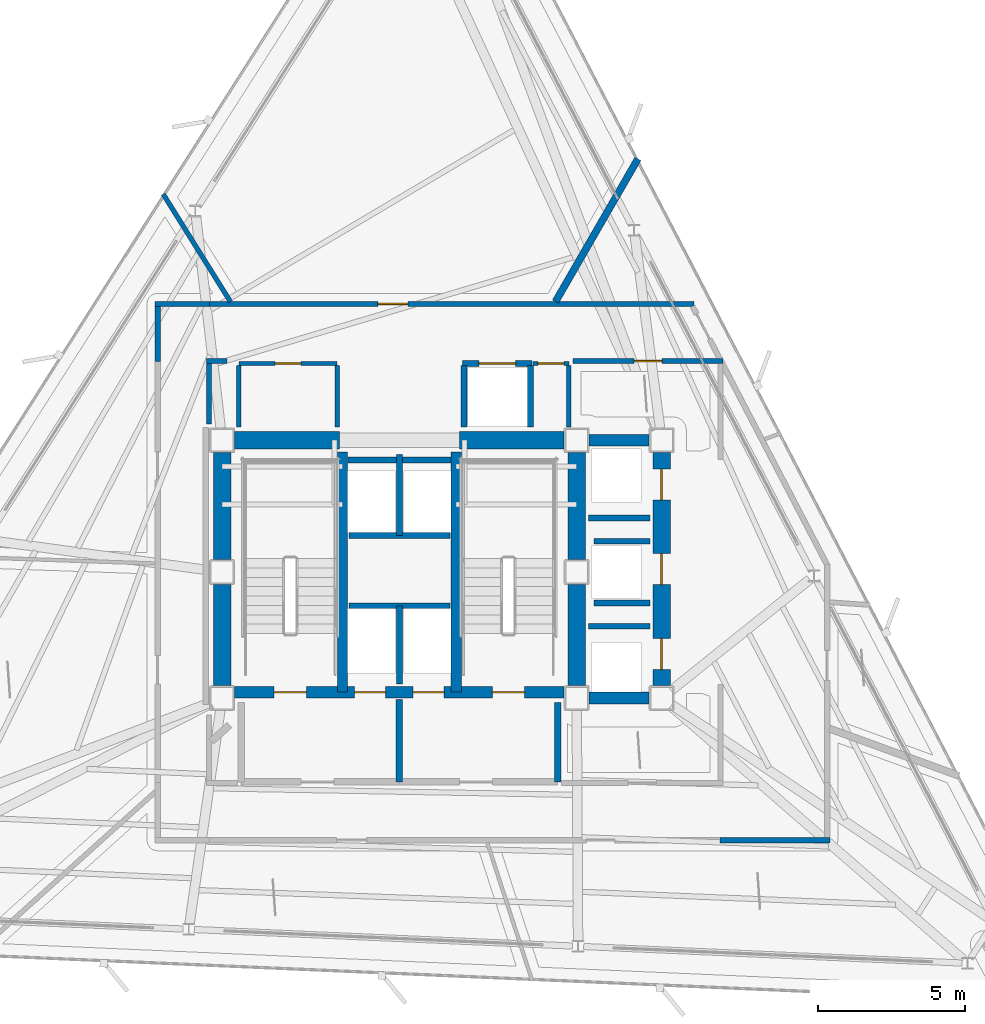
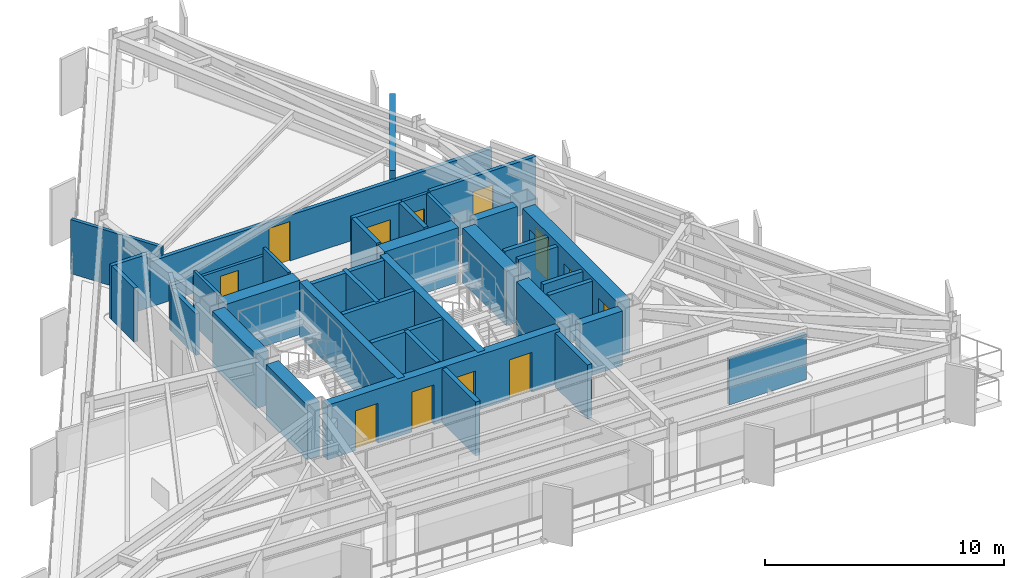
# One storey, part 8 of 12: 40 walls, 12 doors, 12 openings.
"""IFC4 building model written with IfcOpenShell, lengths in metres."""

from ifc_helpers import new_model, si_unit, direction, frame, frame_2d, origin, place, context, subcontext, project, spatial, rectangle, extrude, material, layer, layer_set, type_object, element, fill, save


model = new_model("IFC4")

# Units and contexts
model_context = context("Model", 3, precision=1e-05, world=origin(), true_north=direction((0.0, 1.0)))
body_context = subcontext(model_context, "Body", "Model", "MODEL_VIEW")
ifc_project = project(units=[si_unit("LENGTHUNIT", "METRE"), si_unit("AREAUNIT", "SQUARE_METRE"), si_unit("VOLUMEUNIT", "CUBIC_METRE"), si_unit("PLANEANGLEUNIT", "RADIAN"), si_unit("MASSUNIT", "GRAM", prefix="KILO")], contexts=[model_context])

# Site, building, storey
site_placement = place(None, origin())
site = spatial("IfcSite", under=ifc_project, at=site_placement, CompositionType="ELEMENT")
building_placement = place(site_placement, origin())
building = spatial("IfcBuilding", under=site, at=building_placement, Name="Rocaltana Carrier Exchange", CompositionType="ELEMENT")
storey_placement = place(building_placement, frame((0.0, 0.0, 138.080078125)))
storey = spatial("IfcBuildingStorey", under=building, at=storey_placement, Name="L43", CompositionType="ELEMENT", Elevation=138.080078125)

# Walls
ifc_material_1 = material(Name="Double Acoustic Gypsum Partition", Category="gypsum")
ifc_layer_1 = layer(ifc_material_1, 0.159912109375)
ifc_layer_set_1 = layer_set([ifc_layer_1], Name="Double Acoustic Gypsum Partition")
wall_type_1 = type_object("IfcWallType", Name="Acoustic Studio Partition 160 EI60", PredefinedType="PARTITIONING", material=ifc_layer_set_1)
wall_1_placement = place(storey_placement, frame((-5.767578125, 9.22998046875, 0.0), z_axis=(0.0, 0.0, 1.0), x_axis=(-0.529887412725, 0.848067998356, 0.0)))
element("IfcWall", 1, at=wall_1_placement, inside=storey, type_object=wall_type_1, Name="L43 Suite Divider Wall D8", PredefinedType="PARTITIONING", context=body_context, shape_type="SweptSolid", body=[
    extrude(rectangle(XDim=4.3291015625, YDim=0.159912109375, at=frame_2d((2.16455078125, 0.0))), origin(), (0.0, 0.0, 1.0), 2.762939453125),
])
ifc_material_2 = material(Name="Concrete C50/60", Category="concrete")
ifc_layer_2 = layer(ifc_material_2, 0.35009765625)
ifc_layer_set_2 = layer_set([ifc_layer_2], Name="Concrete C50/60")
wall_type_2 = type_object("IfcWallType", Name="Core Internal Shear Wall 350", PredefinedType="SHEAR", material=ifc_layer_set_2)
for number, where, z_axis, x_axis, name in (
    (2, (-1.93994140625, -4.10009765625, 0.0), (0.0, 0.0, 1.0), (0.0, 1.0, 0.0), "L43 Core Shear Wall CW-STW"),
    (3, (1.93994140625, -4.10009765625, 0.0), (0.0, 0.0, 1.0), (0.0, 1.0, 0.0), "L43 Core Shear Wall CW-STE"),
):
    element("IfcWall", number, at=place(storey_placement, frame(where, z_axis=z_axis, x_axis=x_axis)), inside=storey, type_object=wall_type_2, Name=name, PredefinedType="SHEAR", context=body_context, shape_type="SweptSolid", body=[
        extrude(rectangle(XDim=8.2001953125, YDim=0.35009765625, at=frame_2d((4.10009765625, 0.0))), origin(), (0.0, 0.0, 1.0), 2.787841796875),
    ])

# Wall, openings, doors
ifc_material_3 = material(Name="Concrete C50/60", Category="concrete")
ifc_layer_3 = layer(ifc_material_3, 0.39990234375)
ifc_layer_set_3 = layer_set([ifc_layer_3], Name="Concrete C50/60")
wall_type_3 = type_object("IfcWallType", Name="Core Internal Shear Wall 400", PredefinedType="SHEAR", material=ifc_layer_set_3)
wall_2_placement = place(storey_placement, frame((-5.625, -4.10009765625, 0.0), z_axis=(0.0, 0.0, 1.0), x_axis=(1.0, 0.0, 0.0)))
wall_2 = element("IfcWall", 4, at=wall_2_placement, inside=storey, type_object=wall_type_3, Name="L43 Core Shear Wall CW-S", PredefinedType="SHEAR", context=body_context, shape_type="SweptSolid", body=[
    extrude(rectangle(XDim=11.25, YDim=0.39990234375, at=frame_2d((5.625, 0.0))), origin(), (0.0, 0.0, 1.0), 2.787841796875),
])
opening_1_placement = place(wall_2_placement, frame((1.35498046875, 0.0, 0.0)))
opening_1 = element("IfcOpeningElement", 5, at=opening_1_placement, cuts=wall_2, Name="Opening D-ST110", PredefinedType="OPENING", context=body_context, shape_type="SweptSolid", body=[
    extrude(rectangle(XDim=1.10009765625, YDim=2.0400390625, at=frame_2d((0.550048828125, 1.02001953125))), frame((0.0, 0.2099609375, 0.0), z_axis=(0.0, -1.0, 0.0), x_axis=(1.0, 0.0, 0.0)), (0.0, 0.0, 1.0), 0.419921875),
])
opening_2_placement = place(wall_2_placement, frame((8.794921875, 0.0, 0.0)))
opening_2 = element("IfcOpeningElement", 6, at=opening_2_placement, cuts=wall_2, Name="Opening D-ST110", PredefinedType="OPENING", context=body_context, shape_type="SweptSolid", body=[
    extrude(rectangle(XDim=1.10009765625, YDim=2.0400390625, at=frame_2d((0.550048828125, 1.02001953125))), frame((0.0, 0.2099609375, 0.0), z_axis=(0.0, -1.0, 0.0), x_axis=(1.0, 0.0, 0.0)), (0.0, 0.0, 1.0), 0.419921875),
])
opening_3_placement = place(wall_2_placement, frame((4.094970703125, 0.0, 0.0)))
opening_3 = element("IfcOpeningElement", 7, at=opening_3_placement, cuts=wall_2, Name="Opening LD-110", PredefinedType="OPENING", context=body_context, shape_type="SweptSolid", body=[
    extrude(rectangle(XDim=1.06005859375, YDim=2.0400390625, at=frame_2d((0.530029296875, 1.02001953125))), frame((0.0, 0.2099609375, 0.0), z_axis=(0.0, -1.0, 0.0), x_axis=(1.0, 0.0, 0.0)), (0.0, 0.0, 1.0), 0.419921875),
])
opening_4_placement = place(wall_2_placement, frame((6.094970703125, 0.0, 0.0)))
opening_4 = element("IfcOpeningElement", 8, at=opening_4_placement, cuts=wall_2, Name="Opening LD-110", PredefinedType="OPENING", context=body_context, shape_type="SweptSolid", body=[
    extrude(rectangle(XDim=1.06005859375, YDim=2.0400390625, at=frame_2d((0.530029296875, 1.02001953125))), frame((0.0, 0.2099609375, 0.0), z_axis=(0.0, -1.0, 0.0), x_axis=(1.0, 0.0, 0.0)), (0.0, 0.0, 1.0), 0.419921875),
])
ifc_material_4 = material(Name="Hollow Metal Fire Door Assembly", Category="steel")
door_type_1 = type_object("IfcDoorType", Name="Exit Stair Fire Door 1100x2040 FD90S", OperationType="NOTDEFINED", PredefinedType="DOOR", material=ifc_material_4)
door_1_placement = place(opening_1_placement, origin())
door_1 = element("IfcDoor", 9, at=door_1_placement, inside=storey, type_object=door_type_1, Name="L43 Exit Stair ST1 Fire Door", OperationType="SINGLE_SWING_LEFT", OverallHeight=2.0400390625, OverallWidth=1.10009765625, PredefinedType="DOOR", context=body_context, shape_type="SweptSolid", body=[
    extrude(rectangle(XDim=1.10009765625, YDim=2.0400390625, at=frame_2d((0.550048828125, 1.02001953125))), frame((0.0, 0.02490234375, 0.0), z_axis=(0.0, -1.0, 0.0), x_axis=(1.0, 0.0, 0.0)), (0.0, 0.0, 1.0), 0.050048828125),
])
fill(opening_1, door_1)
door_2_placement = place(opening_2_placement, origin())
door_2 = element("IfcDoor", 10, at=door_2_placement, inside=storey, type_object=door_type_1, Name="L43 Exit Stair ST2 Fire Door", OperationType="SINGLE_SWING_RIGHT", OverallHeight=2.0400390625, OverallWidth=1.10009765625, PredefinedType="DOOR", context=body_context, shape_type="SweptSolid", body=[
    extrude(rectangle(XDim=1.10009765625, YDim=2.0400390625, at=frame_2d((0.550048828125, 1.02001953125))), frame((0.0, 0.02490234375, 0.0), z_axis=(0.0, -1.0, 0.0), x_axis=(1.0, 0.0, 0.0)), (0.0, 0.0, 1.0), 0.050048828125),
])
fill(opening_2, door_2)
ifc_material_5 = material(Name="Brushed Stainless Sliding Door Leaf", Category="steel")
door_type_2 = type_object("IfcDoorType", Name="Lift Landing Sliding Door 1060x2040", OperationType="NOTDEFINED", PredefinedType="DOOR", material=ifc_material_5)
door_3_placement = place(opening_3_placement, origin())
door_3 = element("IfcDoor", 11, at=door_3_placement, inside=storey, type_object=door_type_2, Name="L43 Firefighting Lift FFL1 Landing Door", OperationType="SLIDING_TO_LEFT", OverallHeight=2.0400390625, OverallWidth=1.06005859375, PredefinedType="DOOR", context=body_context, shape_type="SweptSolid", body=[
    extrude(rectangle(XDim=1.06005859375, YDim=2.0400390625, at=frame_2d((0.530029296875, 1.02001953125))), frame((0.0, 0.02490234375, 0.0), z_axis=(0.0, -1.0, 0.0), x_axis=(1.0, 0.0, 0.0)), (0.0, 0.0, 1.0), 0.050048828125),
])
fill(opening_3, door_3)
door_4_placement = place(opening_4_placement, origin())
door_4 = element("IfcDoor", 12, at=door_4_placement, inside=storey, type_object=door_type_2, Name="L43 Firefighting Lift FFL2 Landing Door", OperationType="SLIDING_TO_RIGHT", OverallHeight=2.0400390625, OverallWidth=1.06005859375, PredefinedType="DOOR", context=body_context, shape_type="SweptSolid", body=[
    extrude(rectangle(XDim=1.06005859375, YDim=2.0400390625, at=frame_2d((0.530029296875, 1.02001953125))), frame((0.0, 0.02490234375, 0.0), z_axis=(0.0, -1.0, 0.0), x_axis=(1.0, 0.0, 0.0)), (0.0, 0.0, 1.0), 0.050048828125),
])
fill(opening_4, door_4)

# Walls
for number, where, z_axis, x_axis, name in (
    (13, (6.47509765625, 4.5, 0.0), (0.0, 0.0, 1.0), (1.0, 0.0, 0.0), "L43 Core Shear Wall CW-EWN"),
    (14, (6.47509765625, -4.300048828125, 0.0), (0.0, 0.0, 1.0), (1.0, 0.0, 0.0), "L43 Core Shear Wall CW-EWS"),
):
    element("IfcWall", number, at=place(storey_placement, frame(where, z_axis=z_axis, x_axis=x_axis)), inside=storey, type_object=wall_type_3, Name=name, PredefinedType="SHEAR", context=body_context, shape_type="SweptSolid", body=[
        extrude(rectangle(XDim=2.0498046875, YDim=0.39990234375, at=frame_2d((1.02490234375, 0.0))), origin(), (0.0, 0.0, 1.0), 2.787841796875),
    ])
ifc_material_6 = material(Name="Concrete C50/60", Category="concrete")
ifc_layer_4 = layer(ifc_material_6, 0.60009765625)
ifc_layer_set_4 = layer_set([ifc_layer_4], Name="Concrete C50/60")
wall_type_4 = type_object("IfcWallType", Name="Core Shear Wall 600", PredefinedType="SHEAR", material=ifc_layer_set_4)
wall_3_placement = place(storey_placement, frame((-6.050048828125, 0.425048828125, 0.0), z_axis=(0.0, 0.0, 1.0), x_axis=(0.0, 1.0, 0.0)))
element("IfcWall", 15, at=wall_3_placement, inside=storey, type_object=wall_type_4, Name="L43 Core Shear Wall CW-WN", PredefinedType="SHEAR", context=body_context, shape_type="SweptSolid", body=[
    extrude(rectangle(XDim=3.64990234375, YDim=0.60009765625, at=frame_2d((1.824951171875, 0.0))), origin(), (0.0, 0.0, 1.0), 2.787841796875),
])
wall_4_placement = place(storey_placement, frame((-6.050048828125, -3.875, 0.0), z_axis=(0.0, 0.0, 1.0), x_axis=(0.0, 1.0, 0.0)))
element("IfcWall", 16, at=wall_4_placement, inside=storey, type_object=wall_type_4, Name="L43 Core Shear Wall CW-WS", PredefinedType="SHEAR", context=body_context, shape_type="SweptSolid", body=[
    extrude(rectangle(XDim=3.449951171875, YDim=0.60009765625, at=frame_2d((1.72509765625, 0.0))), origin(), (0.0, 0.0, 1.0), 2.787841796875),
])
wall_5_placement = place(storey_placement, frame((6.050048828125, 0.425048828125, 0.0), z_axis=(0.0, 0.0, 1.0), x_axis=(0.0, 1.0, 0.0)))
element("IfcWall", 17, at=wall_5_placement, inside=storey, type_object=wall_type_4, Name="L43 Core Shear Wall CW-EN", PredefinedType="SHEAR", context=body_context, shape_type="SweptSolid", body=[
    extrude(rectangle(XDim=3.64990234375, YDim=0.60009765625, at=frame_2d((1.824951171875, 0.0))), origin(), (0.0, 0.0, 1.0), 2.787841796875),
])
wall_6_placement = place(storey_placement, frame((6.050048828125, -3.875, 0.0), z_axis=(0.0, 0.0, 1.0), x_axis=(0.0, 1.0, 0.0)))
element("IfcWall", 18, at=wall_6_placement, inside=storey, type_object=wall_type_4, Name="L43 Core Shear Wall CW-ES", PredefinedType="SHEAR", context=body_context, shape_type="SweptSolid", body=[
    extrude(rectangle(XDim=3.449951171875, YDim=0.60009765625, at=frame_2d((1.72509765625, 0.0))), origin(), (0.0, 0.0, 1.0), 2.787841796875),
])
for number, where, z_axis, x_axis, name in (
    (19, (-5.625, 4.5, 0.0), (0.0, 0.0, 1.0), (1.0, 0.0, 0.0), "L43 Core Shear Wall CW-N1"),
    (20, (2.050048828125, 4.5, 0.0), (0.0, 0.0, 1.0), (1.0, 0.0, 0.0), "L43 Core Shear Wall CW-N2"),
):
    element("IfcWall", number, at=place(storey_placement, frame(where, z_axis=z_axis, x_axis=x_axis)), inside=storey, type_object=wall_type_4, Name=name, PredefinedType="SHEAR", context=body_context, shape_type="SweptSolid", body=[
        extrude(rectangle(XDim=3.574951171875, YDim=0.60009765625, at=frame_2d((1.78759765625, 0.0))), origin(), (0.0, 0.0, 1.0), 2.787841796875),
    ])

# Wall, openings, doors
wall_7_placement = place(storey_placement, frame((8.949951171875, -3.875, 0.0), z_axis=(0.0, 0.0, 1.0), x_axis=(0.0, 1.0, 0.0)))
wall_7 = element("IfcWall", 21, at=wall_7_placement, inside=storey, type_object=wall_type_4, Name="L43 Core Shear Wall CW-EW", PredefinedType="SHEAR", context=body_context, shape_type="SweptSolid", body=[
    extrude(rectangle(XDim=7.949951171875, YDim=0.60009765625, at=frame_2d((3.97509765625, 0.0))), origin(), (0.0, 0.0, 1.0), 2.787841796875),
])
opening_5_placement = place(wall_7_placement, frame((0.550048828125, 0.0, 0.0)))
opening_5 = element("IfcOpeningElement", 22, at=opening_5_placement, cuts=wall_7, Name="Opening LD-110", PredefinedType="OPENING", context=body_context, shape_type="SweptSolid", body=[
    extrude(rectangle(XDim=1.06005859375, YDim=2.0400390625, at=frame_2d((0.530029296875, 1.02001953125))), frame((0.0, 0.31005859375, 0.0), z_axis=(0.0, -1.0, 0.0), x_axis=(1.0, 0.0, 0.0)), (0.0, 0.0, 1.0), 0.6201171875),
])
opening_6_placement = place(wall_7_placement, frame((3.445068359375, 0.0, 0.0)))
opening_6 = element("IfcOpeningElement", 23, at=opening_6_placement, cuts=wall_7, Name="Opening LD-110", PredefinedType="OPENING", context=body_context, shape_type="SweptSolid", body=[
    extrude(rectangle(XDim=1.06005859375, YDim=2.0400390625, at=frame_2d((0.530029296875, 1.02001953125))), frame((0.0, 0.31005859375, 0.0), z_axis=(0.0, -1.0, 0.0), x_axis=(1.0, 0.0, 0.0)), (0.0, 0.0, 1.0), 0.6201171875),
])
opening_7_placement = place(wall_7_placement, frame((6.330078125, 0.0, 0.0)))
opening_7 = element("IfcOpeningElement", 24, at=opening_7_placement, cuts=wall_7, Name="Opening LD-110", PredefinedType="OPENING", context=body_context, shape_type="SweptSolid", body=[
    extrude(rectangle(XDim=1.06005859375, YDim=2.0400390625, at=frame_2d((0.530029296875, 1.02001953125))), frame((0.0, 0.31005859375, 0.0), z_axis=(0.0, -1.0, 0.0), x_axis=(1.0, 0.0, 0.0)), (0.0, 0.0, 1.0), 0.6201171875),
])
door_5_placement = place(opening_5_placement, origin())
door_5 = element("IfcDoor", 25, at=door_5_placement, inside=storey, type_object=door_type_2, Name="L43 Mid-Rise Lift PL-M1 Landing Door", OperationType="SLIDING_TO_LEFT", OverallHeight=2.0400390625, OverallWidth=1.06005859375, PredefinedType="DOOR", context=body_context, shape_type="SweptSolid", body=[
    extrude(rectangle(XDim=1.06005859375, YDim=2.0400390625, at=frame_2d((0.530029296875, 1.02001953125))), frame((0.0, 0.02490234375, 0.0), z_axis=(0.0, -1.0, 0.0), x_axis=(1.0, 0.0, 0.0)), (0.0, 0.0, 1.0), 0.050048828125),
])
fill(opening_5, door_5)
door_6_placement = place(opening_6_placement, origin())
door_6 = element("IfcDoor", 26, at=door_6_placement, inside=storey, type_object=door_type_2, Name="L43 Mid-Rise Lift PL-M2 Landing Door", OperationType="SLIDING_TO_RIGHT", OverallHeight=2.0400390625, OverallWidth=1.06005859375, PredefinedType="DOOR", context=body_context, shape_type="SweptSolid", body=[
    extrude(rectangle(XDim=1.06005859375, YDim=2.0400390625, at=frame_2d((0.530029296875, 1.02001953125))), frame((0.0, 0.02490234375, 0.0), z_axis=(0.0, -1.0, 0.0), x_axis=(1.0, 0.0, 0.0)), (0.0, 0.0, 1.0), 0.050048828125),
])
fill(opening_6, door_6)
door_7_placement = place(opening_7_placement, origin())
door_7 = element("IfcDoor", 27, at=door_7_placement, inside=storey, type_object=door_type_2, Name="L43 Mid-Rise Lift PL-M3 Landing Door", OperationType="SLIDING_TO_LEFT", OverallHeight=2.0400390625, OverallWidth=1.06005859375, PredefinedType="DOOR", context=body_context, shape_type="SweptSolid", body=[
    extrude(rectangle(XDim=1.06005859375, YDim=2.0400390625, at=frame_2d((0.530029296875, 1.02001953125))), frame((0.0, 0.02490234375, 0.0), z_axis=(0.0, -1.0, 0.0), x_axis=(1.0, 0.0, 0.0)), (0.0, 0.0, 1.0), 0.050048828125),
])
fill(opening_7, door_7)

# Walls
ifc_material_7 = material(Name="Gypsum & Steel Stud Partition", Category="steel")
ifc_layer_5 = layer(ifc_material_7, 0.179931640625)
ifc_layer_set_5 = layer_set([ifc_layer_5], Name="Gypsum & Steel Stud Partition")
wall_type_5 = type_object("IfcWallType", Name="Corridor Fire Partition 180 EI60", PredefinedType="PARTITIONING", material=ifc_layer_set_5)
wall_8_placement = place(storey_placement, frame((-8.25, 7.179931640625, 0.0), z_axis=(0.0, 0.0, 1.0), x_axis=(0.0, 1.0, 0.0)))
element("IfcWall", 28, at=wall_8_placement, inside=storey, type_object=wall_type_5, Name="L43 Corridor Partition 4", PredefinedType="PARTITIONING", context=body_context, shape_type="SweptSolid", body=[
    extrude(rectangle(XDim=1.880126953125, YDim=0.179931640625, at=frame_2d((0.93994140625, 0.0))), origin(), (0.0, 0.0, 1.0), 2.762939453125),
])
wall_9_placement = place(storey_placement, frame((-8.340087890625, 9.14990234375, 0.0), z_axis=(0.0, 0.0, 1.0), x_axis=(1.0, 0.0, 0.0)))
element("IfcWall", 29, at=wall_9_placement, inside=storey, type_object=wall_type_5, Name="L43 Corridor Partition 5", PredefinedType="PARTITIONING", context=body_context, shape_type="SweptSolid", body=[
    extrude(rectangle(XDim=1.860107421875, YDim=0.179931640625, at=frame_2d((0.93017578125, 0.0))), origin(), (0.0, 0.0, 1.0), 2.762939453125),
])

# Wall, opening, door
wall_10_placement = place(storey_placement, frame((-6.52001953125, 9.14990234375, 0.0), z_axis=(0.0, 0.0, 1.0), x_axis=(1.0, 0.0, 0.0)))
wall_10 = element("IfcWall", 30, at=wall_10_placement, inside=storey, type_object=wall_type_5, Name="L43 Corridor Partition 6", PredefinedType="PARTITIONING", context=body_context, shape_type="SweptSolid", body=[
    extrude(rectangle(XDim=16.571533203125, YDim=0.179931640625, at=frame_2d((8.28564453125, 0.0))), origin(), (0.0, 0.0, 1.0), 2.329833984375),
])
opening_8_placement = place(wall_10_placement, frame((5.789306640625, 0.0, 0.0)))
opening_8 = element("IfcOpeningElement", 31, at=opening_8_placement, cuts=wall_10, Name="Opening D-LB104", PredefinedType="OPENING", context=body_context, shape_type="SweptSolid", body=[
    extrude(rectangle(XDim=1.02001953125, YDim=2.02001953125, at=frame_2d((0.510009765625, 1.010009765625))), frame((0.0, 0.099853515625, 0.0), z_axis=(0.0, -1.0, 0.0), x_axis=(1.0, 0.0, 0.0)), (0.0, 0.0, 1.0), 0.199951171875),
])
ifc_material_8 = material(Name="Powder-Coated Aluminium 6063-T6", Category="aluminium")
door_type_3 = type_object("IfcDoorType", Name="Laboratory Acoustic Door 1020x2020", OperationType="NOTDEFINED", PredefinedType="DOOR", material=ifc_material_8)
door_8_placement = place(opening_8_placement, origin())
door_8 = element("IfcDoor", 32, at=door_8_placement, inside=storey, type_object=door_type_3, Name="L43 Photonic Integration Workshop Entrance Door", OperationType="SINGLE_SWING_RIGHT", OverallHeight=2.02001953125, OverallWidth=1.02001953125, PredefinedType="DOOR", context=body_context, shape_type="SweptSolid", body=[
    extrude(rectangle(XDim=1.02001953125, YDim=2.02001953125, at=frame_2d((0.510009765625, 1.010009765625))), frame((0.0, 0.02490234375, 0.0), z_axis=(0.0, -1.0, 0.0), x_axis=(1.0, 0.0, 0.0)), (0.0, 0.0, 1.0), 0.050048828125),
])
fill(opening_8, door_8)

# Wall
wall_11_placement = place(storey_placement, frame((14.68994140625, -9.14990234375, 0.0), z_axis=(0.0, 0.0, 1.0), x_axis=(-1.0, 0.0, 0.0)))
element("IfcWall", 33, at=wall_11_placement, inside=storey, type_object=wall_type_5, Name="L43 Corridor Partition 10", PredefinedType="PARTITIONING", context=body_context, shape_type="SweptSolid", body=[
    extrude(rectangle(XDim=3.75, YDim=0.179931640625, at=frame_2d((1.875, 0.0))), origin(), (0.0, 0.0, 1.0), 2.329833984375),
])

# Wall, opening, door
wall_12_placement = place(storey_placement, frame((11.050048828125, 7.199951171875, 0.0), z_axis=(0.0, 0.0, 1.0), x_axis=(-1.0, 0.0, 0.0)))
wall_12 = element("IfcWall", 34, at=wall_12_placement, inside=storey, type_object=wall_type_5, Name="L43 Corridor Partition 15", PredefinedType="PARTITIONING", context=body_context, shape_type="SweptSolid", body=[
    extrude(rectangle(XDim=5.1201171875, YDim=0.179931640625, at=frame_2d((2.56005859375, 0.0))), origin(), (0.0, 0.0, 1.0), 2.762939453125),
])
opening_9_placement = place(wall_12_placement, frame((2.080078125, 0.0, 0.0)))
opening_9 = element("IfcOpeningElement", 35, at=opening_9_placement, cuts=wall_12, Name="Opening D-RM098", PredefinedType="OPENING", context=body_context, shape_type="SweptSolid", body=[
    extrude(rectangle(XDim=0.9599609375, YDim=2.02001953125, at=frame_2d((0.47998046875, 1.010009765625))), frame((0.0, 0.099853515625, 0.0), z_axis=(0.0, -1.0, 0.0), x_axis=(1.0, 0.0, 0.0)), (0.0, 0.0, 1.0), 0.199951171875),
])
ifc_material_9 = material(Name="Engineered Hardwood Timber", Category="wood")
door_type_4 = type_object("IfcDoorType", Name="Workspace Single Door 960x2020", OperationType="NOTDEFINED", PredefinedType="DOOR", material=ifc_material_9)
door_9_placement = place(opening_9_placement, origin())
door_9 = element("IfcDoor", 36, at=door_9_placement, inside=storey, type_object=door_type_4, Name="L43 Network Engineering Studio Entrance Door", OperationType="SINGLE_SWING_RIGHT", OverallHeight=2.02001953125, OverallWidth=0.9599609375, PredefinedType="DOOR", context=body_context, shape_type="SweptSolid", body=[
    extrude(rectangle(XDim=0.9599609375, YDim=2.02001953125, at=frame_2d((0.47998046875, 1.010009765625))), frame((0.0, 0.02490234375, 0.0), z_axis=(0.0, -1.0, 0.0), x_axis=(1.0, 0.0, 0.0)), (0.0, 0.0, 1.0), 0.050048828125),
])
fill(opening_9, door_9)

# Walls
wall_13_placement = place(storey_placement, frame((-5.8798828125, 7.199951171875, 0.0), z_axis=(0.0, 0.0, 1.0), x_axis=(-1.0, 0.0, 0.0)))
element("IfcWall", 37, at=wall_13_placement, inside=storey, type_object=wall_type_5, Name="L43 Corridor Partition 16", PredefinedType="PARTITIONING", context=body_context, shape_type="SweptSolid", body=[
    extrude(rectangle(XDim=0.710205078125, YDim=0.179931640625, at=frame_2d((0.35498046875, 0.0))), origin(), (0.0, 0.0, 1.0), 2.329833984375),
])
wall_14_placement = place(storey_placement, frame((-6.5, 7.110107421875, 0.0), z_axis=(0.0, 0.0, 1.0), x_axis=(0.0, -1.0, 0.0)))
element("IfcWall", 38, at=wall_14_placement, inside=storey, type_object=wall_type_5, Name="L43 Corridor Partition 17", PredefinedType="PARTITIONING", context=body_context, shape_type="SweptSolid", body=[
    extrude(rectangle(XDim=2.058349609375, YDim=0.179931640625, at=frame_2d((1.029296875, 0.0))), origin(), (0.0, 0.0, 1.0), 2.1318359375),
])
ifc_material_10 = material(Name="Autoclaved Aerated Concrete C30/37", Category="concrete")
ifc_layer_6 = layer(ifc_material_10, 0.219970703125)
ifc_layer_set_6 = layer_set([ifc_layer_6], Name="Autoclaved Aerated Concrete C30/37")
wall_type_6 = type_object("IfcWallType", Name="Firefighting Lobby Wall 220 EI120", PredefinedType="PARTITIONING", material=ifc_layer_set_6)
wall_15_placement = place(storey_placement, frame((5.39990234375, -7.159912109375, 0.0), z_axis=(0.0, 0.0, 1.0), x_axis=(0.0, 1.0, 0.0)))
element("IfcWall", 39, at=wall_15_placement, inside=storey, type_object=wall_type_6, Name="L43 FFL Lobby 2 East Wall", PredefinedType="PARTITIONING", context=body_context, shape_type="SweptSolid", body=[
    extrude(rectangle(XDim=2.7099609375, YDim=0.219970703125, at=frame_2d((1.35498046875, 0.0))), origin(), (0.0, 0.0, 1.0), 2.762939453125),
])
wall_16_placement = place(storey_placement, frame((0.0, -7.159912109375, 0.0), z_axis=(0.0, 0.0, 1.0), x_axis=(0.0, 1.0, 0.0)))
element("IfcWall", 40, at=wall_16_placement, inside=storey, type_object=wall_type_6, Name="L43 FFL Lobby Centre Wall", PredefinedType="PARTITIONING", context=body_context, shape_type="SweptSolid", body=[
    extrude(rectangle(XDim=2.809814453125, YDim=0.219970703125, at=frame_2d((1.40478515625, 0.0))), origin(), (0.0, 0.0, 1.0), 2.762939453125),
])
ifc_material_11 = material(Name="Acoustic Calcium Silicate Partition", Category="gypsum")
ifc_layer_7 = layer(ifc_material_11, 0.239990234375)
ifc_layer_set_7 = layer_set([ifc_layer_7], Name="Acoustic Calcium Silicate Partition")
wall_type_7 = type_object("IfcWallType", Name="Heavy Lab Partition 240 EI90", PredefinedType="PARTITIONING", material=ifc_layer_set_7)
wall_17_placement = place(storey_placement, frame((5.328857421875, 9.22998046875, 0.0), z_axis=(0.0, 0.0, 1.0), x_axis=(0.500024387096, 0.86601132343, 0.0)))
element("IfcWall", 41, at=wall_17_placement, inside=storey, type_object=wall_type_7, Name="L43 Suite Divider Wall D7", PredefinedType="PARTITIONING", context=body_context, shape_type="SweptSolid", body=[
    extrude(rectangle(XDim=5.622802734375, YDim=0.239990234375, at=frame_2d((2.8115234375, 0.0))), origin(), (0.0, 0.0, 1.0), 2.762939453125),
])
ifc_material_12 = material(Name="Reinforced Concrete Block C35/45", Category="concrete")
ifc_layer_8 = layer(ifc_material_12, 0.199951171875)
ifc_layer_set_8 = layer_set([ifc_layer_8], Name="Reinforced Concrete Block C35/45")
wall_type_8 = type_object("IfcWallType", Name="Lift Hoistway Enclosure Wall 200 EI120", PredefinedType="PARTITIONING", material=ifc_layer_set_8)
wall_18_placement = place(storey_placement, frame((0.0, -3.820068359375, 0.0), z_axis=(0.0, 0.0, 1.0), x_axis=(0.0, 1.0, 0.0)))
element("IfcWall", 42, at=wall_18_placement, inside=storey, type_object=wall_type_8, Name="L43 FFL Shaft Divider", PredefinedType="PARTITIONING", context=body_context, shape_type="SweptSolid", body=[
    extrude(rectangle(XDim=2.670166015625, YDim=0.199951171875, at=frame_2d((1.3349609375, 0.0))), origin(), (0.0, 0.0, 1.0), 2.762939453125),
])
wall_19_placement = place(storey_placement, frame((-1.719970703125, -1.14990234375, 0.0), z_axis=(0.0, 0.0, 1.0), x_axis=(1.0, 0.0, 0.0)))
element("IfcWall", 43, at=wall_19_placement, inside=storey, type_object=wall_type_8, Name="L43 FFL Shaft Back Wall", PredefinedType="PARTITIONING", context=body_context, shape_type="SweptSolid", body=[
    extrude(rectangle(XDim=3.43994140625, YDim=0.199951171875, at=frame_2d((1.719970703125, 0.0))), origin(), (0.0, 0.0, 1.0), 2.762939453125),
])
wall_20_placement = place(storey_placement, frame((0.0, 1.25, 0.0), z_axis=(0.0, 0.0, 1.0), x_axis=(0.0, 1.0, 0.0)))
element("IfcWall", 44, at=wall_20_placement, inside=storey, type_object=wall_type_8, Name="L43 High-Rise Shaft Divider", PredefinedType="PARTITIONING", context=body_context, shape_type="SweptSolid", body=[
    extrude(rectangle(XDim=2.77001953125, YDim=0.199951171875, at=frame_2d((1.385009765625, 0.0))), origin(), (0.0, 0.0, 1.0), 2.762939453125),
])
wall_21_placement = place(storey_placement, frame((-1.719970703125, 1.25, 0.0), z_axis=(0.0, 0.0, 1.0), x_axis=(1.0, 0.0, 0.0)))
element("IfcWall", 45, at=wall_21_placement, inside=storey, type_object=wall_type_8, Name="L43 High-Rise Shaft Back Wall", PredefinedType="PARTITIONING", context=body_context, shape_type="SweptSolid", body=[
    extrude(rectangle(XDim=3.43994140625, YDim=0.199951171875, at=frame_2d((1.719970703125, 0.0))), origin(), (0.0, 0.0, 1.0), 2.762939453125),
])
wall_22_placement = place(storey_placement, frame((-1.760009765625, 3.820068359375, 0.0), z_axis=(0.0, 0.0, 1.0), x_axis=(1.0, 0.0, 0.0)))
element("IfcWall", 46, at=wall_22_placement, inside=storey, type_object=wall_type_8, Name="L43 High-Rise Lift Front Wall", PredefinedType="PARTITIONING", context=body_context, shape_type="SweptSolid", body=[
    extrude(rectangle(XDim=3.52001953125, YDim=0.199951171875, at=frame_2d((1.760009765625, 0.0))), origin(), (0.0, 0.0, 1.0), 2.762939453125),
])
for number, where, z_axis, x_axis, name in (
    (47, (2.199951171875, 4.949951171875, 0.0), (0.0, 0.0, 1.0), (0.0, 1.0, 0.0), "L43 Goods Lift West Wall"),
    (48, (4.47998046875, 4.949951171875, 0.0), (0.0, 0.0, 1.0), (0.0, 1.0, 0.0), "L43 Goods Lift East Wall"),
):
    element("IfcWall", number, at=place(storey_placement, frame(where, z_axis=z_axis, x_axis=x_axis)), inside=storey, type_object=wall_type_8, Name=name, PredefinedType="PARTITIONING", context=body_context, shape_type="SweptSolid", body=[
        extrude(rectangle(XDim=2.10009765625, YDim=0.199951171875, at=frame_2d((1.050048828125, 0.0))), origin(), (0.0, 0.0, 1.0), 2.762939453125),
    ])

# Wall, opening, door
wall_23_placement = place(storey_placement, frame((2.14990234375, 7.1201171875, 0.0), z_axis=(0.0, 0.0, 1.0), x_axis=(1.0, 0.0, 0.0)))
wall_23 = element("IfcWall", 49, at=wall_23_placement, inside=storey, type_object=wall_type_8, Name="L43 Goods Lift Front Wall", PredefinedType="PARTITIONING", context=body_context, shape_type="SweptSolid", body=[
    extrude(rectangle(XDim=2.380126953125, YDim=0.199951171875, at=frame_2d((1.18994140625, 0.0))), origin(), (0.0, 0.0, 1.0), 2.762939453125),
])
opening_10_placement = place(wall_23_placement, frame((0.56005859375, 0.0, 0.0)))
opening_10 = element("IfcOpeningElement", 50, at=opening_10_placement, cuts=wall_23, Name="Opening LD-130", PredefinedType="OPENING", context=body_context, shape_type="SweptSolid", body=[
    extrude(rectangle(XDim=1.260009765625, YDim=2.06005859375, at=frame_2d((0.6298828125, 1.030029296875))), frame((0.0, 0.10986328125, 0.0), z_axis=(0.0, -1.0, 0.0), x_axis=(1.0, 0.0, 0.0)), (0.0, 0.0, 1.0), 0.219970703125),
])
ifc_material_13 = material(Name="Brushed Stainless Sliding Door Leaf", Category="steel")
door_type_5 = type_object("IfcDoorType", Name="Goods Lift Landing Sliding Door 1260x2060", OperationType="NOTDEFINED", PredefinedType="DOOR", material=ifc_material_13)
door_10_placement = place(opening_10_placement, origin())
door_10 = element("IfcDoor", 51, at=door_10_placement, inside=storey, type_object=door_type_5, Name="L43 Goods Lift GL-1 Landing Door", OperationType="SLIDING_TO_LEFT", OverallHeight=2.06005859375, OverallWidth=1.260009765625, PredefinedType="DOOR", context=body_context, shape_type="SweptSolid", body=[
    extrude(rectangle(XDim=1.260009765625, YDim=2.06005859375, at=frame_2d((0.6298828125, 1.030029296875))), frame((0.0, 0.02490234375, 0.0), z_axis=(0.0, -1.0, 0.0), x_axis=(1.0, 0.0, 0.0)), (0.0, 0.0, 1.0), 0.050048828125),
])
fill(opening_10, door_10)

# Walls
for number, where, z_axis, x_axis, name in (
    (52, (6.449951171875, -1.85009765625, 0.0), (0.0, 0.0, 1.0), (1.0, 0.0, 0.0), "L43 Mid-Rise Shaft Divider 1"),
    (53, (6.449951171875, 1.85009765625, 0.0), (0.0, 0.0, 1.0), (1.0, 0.0, 0.0), "L43 Mid-Rise Shaft Divider 2"),
):
    element("IfcWall", number, at=place(storey_placement, frame(where, z_axis=z_axis, x_axis=x_axis)), inside=storey, type_object=wall_type_8, Name=name, PredefinedType="PARTITIONING", context=body_context, shape_type="SweptSolid", body=[
        extrude(rectangle(XDim=2.10009765625, YDim=0.199951171875, at=frame_2d((1.050048828125, 0.0))), origin(), (0.0, 0.0, 1.0), 2.762939453125),
    ])
for number, where, z_axis, x_axis, name in (
    (54, (6.639892578125, -1.050048828125, 0.0), (0.0, 0.0, 1.0), (1.0, 0.0, 0.0), "L43 Mid-Rise Center Shaft Wall South"),
    (55, (6.639892578125, 1.050048828125, 0.0), (0.0, 0.0, 1.0), (1.0, 0.0, 0.0), "L43 Mid-Rise Center Shaft Wall North"),
):
    element("IfcWall", number, at=place(storey_placement, frame(where, z_axis=z_axis, x_axis=x_axis)), inside=storey, type_object=wall_type_8, Name=name, PredefinedType="PARTITIONING", context=body_context, shape_type="SweptSolid", body=[
        extrude(rectangle(XDim=1.91015625, YDim=0.199951171875, at=frame_2d((0.955078125, 0.0))), origin(), (0.0, 0.0, 1.0), 2.762939453125),
    ])
ifc_material_14 = material(Name="Moisture-Resistant Masonry C30/37", Category="masonry")
ifc_layer_9 = layer(ifc_material_14, 0.139892578125)
ifc_layer_set_9 = layer_set([ifc_layer_9], Name="Moisture-Resistant Masonry C30/37")
wall_type_9 = type_object("IfcWallType", Name="Wet-Area Sanitary Partition 140", PredefinedType="PARTITIONING", material=ifc_layer_set_9)
for number, where, z_axis, x_axis, name in (
    (56, (-5.47998046875, 4.949951171875, 0.0), (0.0, 0.0, 1.0), (0.0, 1.0, 0.0), "L43 Sanitary West Wall"),
    (57, (-2.1201171875, 4.949951171875, 0.0), (0.0, 0.0, 1.0), (0.0, 1.0, 0.0), "L43 Sanitary East Wall"),
):
    element("IfcWall", number, at=place(storey_placement, frame(where, z_axis=z_axis, x_axis=x_axis)), inside=storey, type_object=wall_type_9, Name=name, PredefinedType="PARTITIONING", context=body_context, shape_type="SweptSolid", body=[
        extrude(rectangle(XDim=2.10009765625, YDim=0.139892578125, at=frame_2d((1.050048828125, 0.0))), origin(), (0.0, 0.0, 1.0), 2.762939453125),
    ])

# Wall, opening, door
wall_24_placement = place(storey_placement, frame((-5.47998046875, 7.1201171875, 0.0), z_axis=(0.0, 0.0, 1.0), x_axis=(1.0, 0.0, 0.0)))
wall_24 = element("IfcWall", 58, at=wall_24_placement, inside=storey, type_object=wall_type_9, Name="L43 Sanitary North Wall", PredefinedType="PARTITIONING", context=body_context, shape_type="SweptSolid", body=[
    extrude(rectangle(XDim=3.35986328125, YDim=0.139892578125, at=frame_2d((1.679931640625, 0.0))), origin(), (0.0, 0.0, 1.0), 2.329833984375),
])
opening_11_placement = place(wall_24_placement, frame((1.239990234375, 0.0, 0.0)))
opening_11 = element("IfcOpeningElement", 59, at=opening_11_placement, cuts=wall_24, Name="Opening D-WC090", PredefinedType="OPENING", context=body_context, shape_type="SweptSolid", body=[
    extrude(rectangle(XDim=0.8798828125, YDim=2.02001953125, at=frame_2d((0.43994140625, 1.010009765625))), frame((0.0, 0.079833984375, 0.0), z_axis=(0.0, -1.0, 0.0), x_axis=(1.0, 0.0, 0.0)), (0.0, 0.0, 1.0), 0.159912109375),
])
ifc_material_15 = material(Name="High-Pressure Laminate Timber", Category="wood")
door_type_6 = type_object("IfcDoorType", Name="Restroom & Accessible WC Door 880x2020", OperationType="NOTDEFINED", PredefinedType="DOOR", material=ifc_material_15)
door_11_placement = place(opening_11_placement, origin())
door_11 = element("IfcDoor", 60, at=door_11_placement, inside=storey, type_object=door_type_6, Name="L43 Accessible Toilet Door", OperationType="SINGLE_SWING_LEFT", OverallHeight=2.02001953125, OverallWidth=0.8798828125, PredefinedType="DOOR", context=body_context, shape_type="SweptSolid", body=[
    extrude(rectangle(XDim=0.8798828125, YDim=2.02001953125, at=frame_2d((0.43994140625, 1.010009765625))), frame((0.0, 0.02490234375, 0.0), z_axis=(0.0, -1.0, 0.0), x_axis=(1.0, 0.0, 0.0)), (0.0, 0.0, 1.0), 0.050048828125),
])
fill(opening_11, door_11)

# Wall
wall_25_placement = place(storey_placement, frame((5.780029296875, 4.949951171875, 0.0), z_axis=(0.0, 0.0, 1.0), x_axis=(0.0, 1.0, 0.0)))
element("IfcWall", 61, at=wall_25_placement, inside=storey, type_object=wall_type_9, Name="L43 Restroom East Wall", PredefinedType="PARTITIONING", context=body_context, shape_type="SweptSolid", body=[
    extrude(rectangle(XDim=2.10009765625, YDim=0.139892578125, at=frame_2d((1.050048828125, 0.0))), origin(), (0.0, 0.0, 1.0), 2.762939453125),
])

# Wall, opening, door
wall_26_placement = place(storey_placement, frame((4.56005859375, 7.1201171875, 0.0), z_axis=(0.0, 0.0, 1.0), x_axis=(1.0, 0.0, 0.0)))
wall_26 = element("IfcWall", 62, at=wall_26_placement, inside=storey, type_object=wall_type_9, Name="L43 Restroom North Wall", PredefinedType="PARTITIONING", context=body_context, shape_type="SweptSolid", body=[
    extrude(rectangle(XDim=1.219970703125, YDim=0.139892578125, at=frame_2d((0.60986328125, 0.0))), origin(), (0.0, 0.0, 1.0), 2.762939453125),
])
opening_12_placement = place(wall_26_placement, frame((0.169921875, 0.0, 0.0)))
opening_12 = element("IfcOpeningElement", 63, at=opening_12_placement, cuts=wall_26, Name="Opening D-WC090", PredefinedType="OPENING", context=body_context, shape_type="SweptSolid", body=[
    extrude(rectangle(XDim=0.8798828125, YDim=2.02001953125, at=frame_2d((0.43994140625, 1.010009765625))), frame((0.0, 0.079833984375, 0.0), z_axis=(0.0, -1.0, 0.0), x_axis=(1.0, 0.0, 0.0)), (0.0, 0.0, 1.0), 0.159912109375),
])
door_12_placement = place(opening_12_placement, origin())
door_12 = element("IfcDoor", 64, at=door_12_placement, inside=storey, type_object=door_type_6, Name="L43 Staff Restroom Door", OperationType="SINGLE_SWING_RIGHT", OverallHeight=2.02001953125, OverallWidth=0.8798828125, PredefinedType="DOOR", context=body_context, shape_type="SweptSolid", body=[
    extrude(rectangle(XDim=0.8798828125, YDim=2.02001953125, at=frame_2d((0.43994140625, 1.010009765625))), frame((0.0, 0.02490234375, 0.0), z_axis=(0.0, -1.0, 0.0), x_axis=(1.0, 0.0, 0.0)), (0.0, 0.0, 1.0), 0.050048828125),
])
fill(opening_12, door_12)

save(model, "model.ifc")
